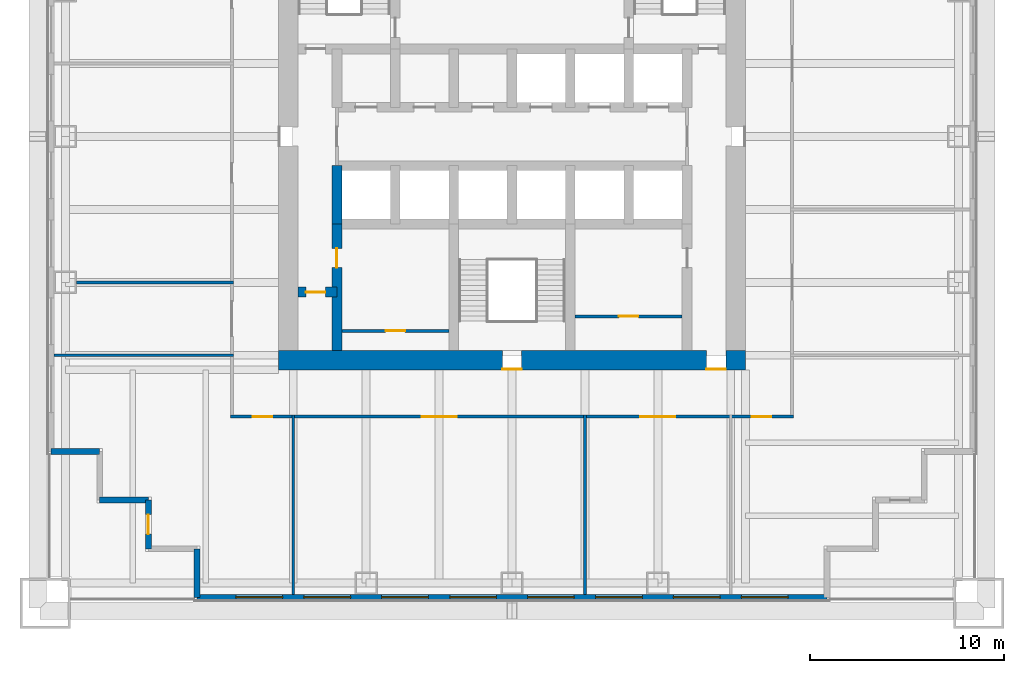
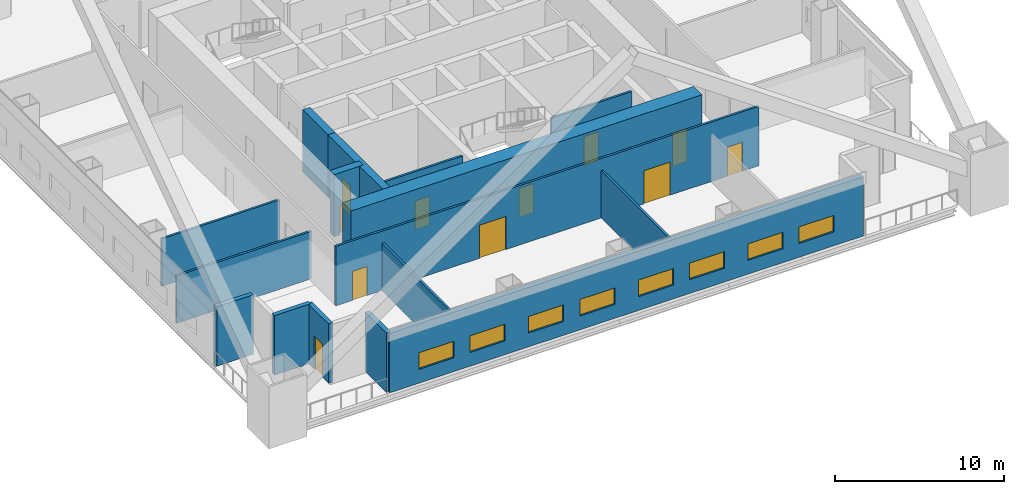
# One storey, part 2 of 6: 16 walls, 11 doors, 8 windows, 19 openings.
"""IFC4 building model written with IfcOpenShell, lengths in metres."""

from ifc_helpers import new_model, si_unit, direction, frame, frame_2d, origin, place, context, subcontext, project, spatial, rectangle, extrude, material, layer, layer_set, type_object, element, fill, save


model = new_model("IFC4")

# Units and contexts
model_context = context("Model", 3, precision=1e-05, world=origin(), true_north=direction((0.0, 1.0)))
body_context = subcontext(model_context, "Body", "Model", "MODEL_VIEW")
ifc_project = project(units=[si_unit("LENGTHUNIT", "METRE"), si_unit("AREAUNIT", "SQUARE_METRE"), si_unit("VOLUMEUNIT", "CUBIC_METRE"), si_unit("PLANEANGLEUNIT", "RADIAN"), si_unit("MASSUNIT", "GRAM", prefix="KILO")], contexts=[model_context])

# Site, building, storey
site_placement = place(None, origin())
site = spatial("IfcSite", under=ifc_project, at=site_placement, CompositionType="ELEMENT")
building_placement = place(site_placement, origin())
building = spatial("IfcBuilding", under=site, at=building_placement, Name="Tarangal Relay Tower", CompositionType="ELEMENT")
storey_placement = place(building_placement, frame((0.0, 0.0, 135.89990234375)))
storey = spatial("IfcBuildingStorey", under=building, at=storey_placement, Name="L27", CompositionType="ELEMENT", Elevation=135.89990234375)

# Wall, opening, door
ifc_material_1 = material(Name="Concrete fc' 60 MPa", Category="concrete")
ifc_layer_1 = layer(ifc_material_1, 0.5)
ifc_layer_set_1 = layer_set([ifc_layer_1], Name="Core inner wall 500")
wall_type_1 = type_object("IfcWallType", Name="Core inner wall 500", PredefinedType="SHEAR", material=ifc_layer_set_1)
wall_1_placement = place(storey_placement, frame((-11.0, -8.0, 0.0), z_axis=(0.0, 0.0, 1.0), x_axis=(1.0, 0.0, 0.0)))
wall_1 = element("IfcWall", 1, at=wall_1_placement, inside=storey, type_object=wall_type_1, Name="Core wall YM8 L27", PredefinedType="SHEAR", context=body_context, shape_type="SweptSolid", body=[
    extrude(rectangle(XDim=2.0, YDim=0.5, at=frame_2d((1.0, 0.0))), origin(), (0.0, 0.0, 1.0), 4.5),
])
opening_1_placement = place(wall_1_placement, frame((0.39990234375, 0.0, 0.0)))
opening_1 = element("IfcOpeningElement", 2, at=opening_1_placement, cuts=wall_1, Name="Opening D1", PredefinedType="OPENING", context=body_context, shape_type="SweptSolid", body=[
    extrude(rectangle(XDim=1.0, YDim=2.10009765625, at=frame_2d((0.5, 1.050048828125))), frame((0.0, 0.260009765625, 0.0), z_axis=(0.0, -1.0, 0.0), x_axis=(1.0, 0.0, 0.0)), (0.0, 0.0, 1.0), 0.52001953125),
])
ifc_material_2 = material(Name="Hardwood door", Category="wood")
door_type_1 = type_object("IfcDoorType", Name="WC door 1000 x 2100", OperationType="SINGLE_SWING_LEFT", PredefinedType="DOOR", material=ifc_material_2)
door_1_placement = place(opening_1_placement, origin())
door_1 = element("IfcDoor", 3, at=door_1_placement, inside=storey, type_object=door_type_1, Name="Accessible WC door L27", OperationType="SINGLE_SWING_LEFT", OverallHeight=2.10009765625, OverallWidth=1.0, PredefinedType="DOOR", context=body_context, shape_type="SweptSolid", body=[
    extrude(rectangle(XDim=1.0, YDim=2.10009765625, at=frame_2d((0.5, 1.050048828125))), frame((0.0, 0.02490234375, 0.0), z_axis=(0.0, -1.0, 0.0), x_axis=(1.0, 0.0, 0.0)), (0.0, 0.0, 1.0), 0.050048828125),
])
fill(opening_1, door_1)

# Wall
wall_2_placement = place(storey_placement, frame((-9.0, -4.5, 0.0), z_axis=(0.0, 0.0, 1.0), x_axis=(0.0, 1.0, 0.0)))
element("IfcWall", 4, at=wall_2_placement, inside=storey, type_object=wall_type_1, Name="Core wall XM9S L27", PredefinedType="SHEAR", context=body_context, shape_type="SweptSolid", body=[
    extrude(rectangle(XDim=3.0, YDim=0.5, at=frame_2d((1.5, 0.0))), origin(), (0.0, 0.0, 1.0), 4.5),
])

# Wall, opening, door
wall_3_placement = place(storey_placement, frame((-9.0, -11.0, 0.0), z_axis=(0.0, 0.0, 1.0), x_axis=(0.0, 1.0, 0.0)))
wall_3 = element("IfcWall", 5, at=wall_3_placement, inside=storey, type_object=wall_type_1, Name="Core wall XM9W L27", PredefinedType="SHEAR", context=body_context, shape_type="SweptSolid", body=[
    extrude(rectangle(XDim=6.5, YDim=0.5, at=frame_2d((3.25, 0.0))), origin(), (0.0, 0.0, 1.0), 4.5),
])
opening_2_placement = place(wall_3_placement, frame((4.25, 0.0, 0.0)))
opening_2 = element("IfcOpeningElement", 6, at=opening_2_placement, cuts=wall_3, Name="Opening D1", PredefinedType="OPENING", context=body_context, shape_type="SweptSolid", body=[
    extrude(rectangle(XDim=1.0, YDim=2.10009765625, at=frame_2d((0.5, 1.050048828125))), frame((0.0, 0.260009765625, 0.0), z_axis=(0.0, -1.0, 0.0), x_axis=(1.0, 0.0, 0.0)), (0.0, 0.0, 1.0), 0.52001953125),
])
door_2_placement = place(opening_2_placement, origin())
door_2 = element("IfcDoor", 7, at=door_2_placement, inside=storey, type_object=door_type_1, Name="Male WC door L27", OperationType="SINGLE_SWING_LEFT", OverallHeight=2.10009765625, OverallWidth=1.0, PredefinedType="DOOR", context=body_context, shape_type="SweptSolid", body=[
    extrude(rectangle(XDim=1.0, YDim=2.10009765625, at=frame_2d((0.5, 1.050048828125))), frame((0.0, 0.02490234375, 0.0), z_axis=(0.0, -1.0, 0.0), x_axis=(1.0, 0.0, 0.0)), (0.0, 0.0, 1.0), 0.050048828125),
])
fill(opening_2, door_2)

# Wall, openings, doors
ifc_layer_2 = layer(ifc_material_1, 1.0)
ifc_layer_set_2 = layer_set([ifc_layer_2], Name="Core wall 1000")
wall_type_2 = type_object("IfcWallType", Name="Core wall 1000", PredefinedType="SHEAR", material=ifc_layer_set_2)
wall_4_placement = place(storey_placement, frame((12.0, -11.5, 0.0), z_axis=(0.0, 0.0, 1.0), x_axis=(-1.0, 0.0, 0.0)))
wall_4 = element("IfcWall", 8, at=wall_4_placement, inside=storey, type_object=wall_type_2, Name="Core wall S L27", PredefinedType="SHEAR", context=body_context, shape_type="SweptSolid", body=[
    extrude(rectangle(XDim=24.0, YDim=1.0, at=frame_2d((12.0, 0.0))), origin(), (0.0, 0.0, 1.0), 4.5),
])
opening_3_placement = place(wall_4_placement, frame((11.5, 0.0, 0.0)))
opening_3 = element("IfcOpeningElement", 9, at=opening_3_placement, cuts=wall_4, Name="Opening FD1", PredefinedType="OPENING", context=body_context, shape_type="SweptSolid", body=[
    extrude(rectangle(XDim=1.0, YDim=2.10009765625, at=frame_2d((0.5, 1.050048828125))), frame((0.0, 0.510009765625, 0.0), z_axis=(0.0, -1.0, 0.0), x_axis=(1.0, 0.0, 0.0)), (0.0, 0.0, 1.0), 1.02001953125),
])
opening_4_placement = place(wall_4_placement, frame((1.0, 0.0, 0.0)))
opening_4 = element("IfcOpeningElement", 10, at=opening_4_placement, cuts=wall_4, Name="Opening FD3", PredefinedType="OPENING", context=body_context, shape_type="SweptSolid", body=[
    extrude(rectangle(XDim=1.0, YDim=2.39990234375, at=frame_2d((0.5, 1.199951171875))), frame((0.0, 0.510009765625, 0.0), z_axis=(0.0, -1.0, 0.0), x_axis=(1.0, 0.0, 0.0)), (0.0, 0.0, 1.0), 1.02001953125),
])
ifc_material_3 = material(Name="Steel door with hardwood frame", Category="steel")
door_type_2 = type_object("IfcDoorType", Name="Fire door 1000 x 2100", OperationType="SINGLE_SWING_LEFT", PredefinedType="DOOR", material=ifc_material_3)
door_3_placement = place(opening_3_placement, origin())
door_3 = element("IfcDoor", 11, at=door_3_placement, inside=storey, type_object=door_type_2, Name="Stair ST-C door L27", OperationType="SINGLE_SWING_LEFT", OverallHeight=2.10009765625, OverallWidth=1.0, PredefinedType="DOOR", context=body_context, shape_type="SweptSolid", body=[
    extrude(rectangle(XDim=1.0, YDim=2.10009765625, at=frame_2d((0.5, 1.050048828125))), frame((0.0, 0.48486328125, 0.0), z_axis=(0.0, -1.0, 0.0), x_axis=(1.0, 0.0, 0.0)), (0.0, 0.0, 1.0), 0.050048828125),
])
fill(opening_3, door_3)
door_type_3 = type_object("IfcDoorType", Name="Fire door 1000 x 2400 core entry", OperationType="SINGLE_SWING_RIGHT", PredefinedType="DOOR", material=ifc_material_3)
door_4_placement = place(opening_4_placement, origin())
door_4 = element("IfcDoor", 12, at=door_4_placement, inside=storey, type_object=door_type_3, Name="Core entry door south east L27", OperationType="SINGLE_SWING_RIGHT", OverallHeight=2.39990234375, OverallWidth=1.0, PredefinedType="DOOR", context=body_context, shape_type="SweptSolid", body=[
    extrude(rectangle(XDim=1.0, YDim=2.39990234375, at=frame_2d((0.5, 1.199951171875))), frame((0.0, 0.48486328125, 0.0), z_axis=(0.0, -1.0, 0.0), x_axis=(1.0, 0.0, 0.0)), (0.0, 0.0, 1.0), 0.050048828125),
])
fill(opening_4, door_4)

# Wall, openings, windows
ifc_material_4 = material(Name="Insulated precast concrete fc' 40 MPa", Category="concrete")
ifc_layer_3 = layer(ifc_material_4, 0.300048828125)
ifc_layer_set_3 = layer_set([ifc_layer_3], Name="Insulated precast concrete fc' 40 MPa")
wall_type_3 = type_object("IfcWallType", Name="Facade wall precast 300", PredefinedType="SOLIDWALL", material=ifc_layer_set_3)
wall_5_placement = place(storey_placement, frame((16.199951171875, -23.699951171875, 0.0), z_axis=(0.0, 0.0, 1.0), x_axis=(-1.0, 0.0, 0.0)))
wall_5 = element("IfcWall", 13, at=wall_5_placement, inside=storey, type_object=wall_type_3, Name="Facade wall S facade L27", PredefinedType="SOLIDWALL", context=body_context, shape_type="SweptSolid", body=[
    extrude(rectangle(XDim=32.39990234375, YDim=0.300048828125, at=frame_2d((16.199951171875, 0.0))), origin(), (0.0, 0.0, 1.0), 4.300048828125),
])
opening_5_placement = place(wall_5_placement, frame((2.0, 0.0, 1.0)))
opening_5 = element("IfcOpeningElement", 14, at=opening_5_placement, cuts=wall_5, Name="Opening WN1", PredefinedType="OPENING", context=body_context, shape_type="SweptSolid", body=[
    extrude(rectangle(XDim=2.39990234375, YDim=1.199951171875, at=frame_2d((1.199951171875, 0.60009765625))), frame((0.0, 0.159912109375, 0.0), z_axis=(0.0, -1.0, 0.0), x_axis=(1.0, 0.0, 0.0)), (0.0, 0.0, 1.0), 0.320068359375),
])
opening_6_placement = place(wall_5_placement, frame((5.5, 0.0, 1.0)))
opening_6 = element("IfcOpeningElement", 15, at=opening_6_placement, cuts=wall_5, Name="Opening WN1", PredefinedType="OPENING", context=body_context, shape_type="SweptSolid", body=[
    extrude(rectangle(XDim=2.39990234375, YDim=1.199951171875, at=frame_2d((1.199951171875, 0.60009765625))), frame((0.0, 0.159912109375, 0.0), z_axis=(0.0, -1.0, 0.0), x_axis=(1.0, 0.0, 0.0)), (0.0, 0.0, 1.0), 0.320068359375),
])
opening_7_placement = place(wall_5_placement, frame((9.5, 0.0, 1.0)))
opening_7 = element("IfcOpeningElement", 16, at=opening_7_placement, cuts=wall_5, Name="Opening WN1", PredefinedType="OPENING", context=body_context, shape_type="SweptSolid", body=[
    extrude(rectangle(XDim=2.39990234375, YDim=1.199951171875, at=frame_2d((1.199951171875, 0.60009765625))), frame((0.0, 0.159912109375, 0.0), z_axis=(0.0, -1.0, 0.0), x_axis=(1.0, 0.0, 0.0)), (0.0, 0.0, 1.0), 0.320068359375),
])
opening_8_placement = place(wall_5_placement, frame((13.0, 0.0, 1.0)))
opening_8 = element("IfcOpeningElement", 17, at=opening_8_placement, cuts=wall_5, Name="Opening WN1", PredefinedType="OPENING", context=body_context, shape_type="SweptSolid", body=[
    extrude(rectangle(XDim=2.39990234375, YDim=1.199951171875, at=frame_2d((1.199951171875, 0.60009765625))), frame((0.0, 0.159912109375, 0.0), z_axis=(0.0, -1.0, 0.0), x_axis=(1.0, 0.0, 0.0)), (0.0, 0.0, 1.0), 0.320068359375),
])
opening_9_placement = place(wall_5_placement, frame((17.0, 0.0, 1.0)))
opening_9 = element("IfcOpeningElement", 18, at=opening_9_placement, cuts=wall_5, Name="Opening WN1", PredefinedType="OPENING", context=body_context, shape_type="SweptSolid", body=[
    extrude(rectangle(XDim=2.39990234375, YDim=1.199951171875, at=frame_2d((1.199951171875, 0.60009765625))), frame((0.0, 0.159912109375, 0.0), z_axis=(0.0, -1.0, 0.0), x_axis=(1.0, 0.0, 0.0)), (0.0, 0.0, 1.0), 0.320068359375),
])
opening_10_placement = place(wall_5_placement, frame((20.5, 0.0, 1.0)))
opening_10 = element("IfcOpeningElement", 19, at=opening_10_placement, cuts=wall_5, Name="Opening WN1", PredefinedType="OPENING", context=body_context, shape_type="SweptSolid", body=[
    extrude(rectangle(XDim=2.39990234375, YDim=1.199951171875, at=frame_2d((1.199951171875, 0.60009765625))), frame((0.0, 0.159912109375, 0.0), z_axis=(0.0, -1.0, 0.0), x_axis=(1.0, 0.0, 0.0)), (0.0, 0.0, 1.0), 0.320068359375),
])
opening_11_placement = place(wall_5_placement, frame((24.5, 0.0, 1.0)))
opening_11 = element("IfcOpeningElement", 20, at=opening_11_placement, cuts=wall_5, Name="Opening WN1", PredefinedType="OPENING", context=body_context, shape_type="SweptSolid", body=[
    extrude(rectangle(XDim=2.39990234375, YDim=1.199951171875, at=frame_2d((1.199951171875, 0.60009765625))), frame((0.0, 0.159912109375, 0.0), z_axis=(0.0, -1.0, 0.0), x_axis=(1.0, 0.0, 0.0)), (0.0, 0.0, 1.0), 0.320068359375),
])
opening_12_placement = place(wall_5_placement, frame((28.0, 0.0, 1.0)))
opening_12 = element("IfcOpeningElement", 21, at=opening_12_placement, cuts=wall_5, Name="Opening WN1", PredefinedType="OPENING", context=body_context, shape_type="SweptSolid", body=[
    extrude(rectangle(XDim=2.39990234375, YDim=1.199951171875, at=frame_2d((1.199951171875, 0.60009765625))), frame((0.0, 0.159912109375, 0.0), z_axis=(0.0, -1.0, 0.0), x_axis=(1.0, 0.0, 0.0)), (0.0, 0.0, 1.0), 0.320068359375),
])
ifc_material_5 = material(Name="Dark tinted double glazing in black aluminium frame", Category="aluminium")
window_type = type_object("IfcWindowType", Name="Ribbon window 2400 x 1200", PartitioningType="SINGLE_PANEL", PredefinedType="WINDOW", material=ifc_material_5)
window_1_placement = place(opening_5_placement, origin())
window_1 = element("IfcWindow", 22, at=window_1_placement, inside=storey, type_object=window_type, Name="Ribbon window WN1 S facade L27", OverallHeight=1.199951171875, OverallWidth=2.39990234375, PartitioningType="SINGLE_PANEL", PredefinedType="WINDOW", context=body_context, shape_type="SweptSolid", body=[
    extrude(rectangle(XDim=2.39990234375, YDim=1.199951171875, at=frame_2d((1.199951171875, 0.60009765625))), frame((0.0, 0.030029296875, 0.0), z_axis=(0.0, -1.0, 0.0), x_axis=(1.0, 0.0, 0.0)), (0.0, 0.0, 1.0), 0.06005859375),
])
fill(opening_5, window_1)
window_2_placement = place(opening_6_placement, origin())
window_2 = element("IfcWindow", 23, at=window_2_placement, inside=storey, type_object=window_type, Name="Ribbon window WN1 S facade L27", OverallHeight=1.199951171875, OverallWidth=2.39990234375, PartitioningType="SINGLE_PANEL", PredefinedType="WINDOW", context=body_context, shape_type="SweptSolid", body=[
    extrude(rectangle(XDim=2.39990234375, YDim=1.199951171875, at=frame_2d((1.199951171875, 0.60009765625))), frame((0.0, 0.030029296875, 0.0), z_axis=(0.0, -1.0, 0.0), x_axis=(1.0, 0.0, 0.0)), (0.0, 0.0, 1.0), 0.06005859375),
])
fill(opening_6, window_2)
window_3_placement = place(opening_7_placement, origin())
window_3 = element("IfcWindow", 24, at=window_3_placement, inside=storey, type_object=window_type, Name="Ribbon window WN1 S facade L27", OverallHeight=1.199951171875, OverallWidth=2.39990234375, PartitioningType="SINGLE_PANEL", PredefinedType="WINDOW", context=body_context, shape_type="SweptSolid", body=[
    extrude(rectangle(XDim=2.39990234375, YDim=1.199951171875, at=frame_2d((1.199951171875, 0.60009765625))), frame((0.0, 0.030029296875, 0.0), z_axis=(0.0, -1.0, 0.0), x_axis=(1.0, 0.0, 0.0)), (0.0, 0.0, 1.0), 0.06005859375),
])
fill(opening_7, window_3)
window_4_placement = place(opening_8_placement, origin())
window_4 = element("IfcWindow", 25, at=window_4_placement, inside=storey, type_object=window_type, Name="Ribbon window WN1 S facade L27", OverallHeight=1.199951171875, OverallWidth=2.39990234375, PartitioningType="SINGLE_PANEL", PredefinedType="WINDOW", context=body_context, shape_type="SweptSolid", body=[
    extrude(rectangle(XDim=2.39990234375, YDim=1.199951171875, at=frame_2d((1.199951171875, 0.60009765625))), frame((0.0, 0.030029296875, 0.0), z_axis=(0.0, -1.0, 0.0), x_axis=(1.0, 0.0, 0.0)), (0.0, 0.0, 1.0), 0.06005859375),
])
fill(opening_8, window_4)
window_5_placement = place(opening_9_placement, origin())
window_5 = element("IfcWindow", 26, at=window_5_placement, inside=storey, type_object=window_type, Name="Ribbon window WN1 S facade L27", OverallHeight=1.199951171875, OverallWidth=2.39990234375, PartitioningType="SINGLE_PANEL", PredefinedType="WINDOW", context=body_context, shape_type="SweptSolid", body=[
    extrude(rectangle(XDim=2.39990234375, YDim=1.199951171875, at=frame_2d((1.199951171875, 0.60009765625))), frame((0.0, 0.030029296875, 0.0), z_axis=(0.0, -1.0, 0.0), x_axis=(1.0, 0.0, 0.0)), (0.0, 0.0, 1.0), 0.06005859375),
])
fill(opening_9, window_5)
window_6_placement = place(opening_10_placement, origin())
window_6 = element("IfcWindow", 27, at=window_6_placement, inside=storey, type_object=window_type, Name="Ribbon window WN1 S facade L27", OverallHeight=1.199951171875, OverallWidth=2.39990234375, PartitioningType="SINGLE_PANEL", PredefinedType="WINDOW", context=body_context, shape_type="SweptSolid", body=[
    extrude(rectangle(XDim=2.39990234375, YDim=1.199951171875, at=frame_2d((1.199951171875, 0.60009765625))), frame((0.0, 0.030029296875, 0.0), z_axis=(0.0, -1.0, 0.0), x_axis=(1.0, 0.0, 0.0)), (0.0, 0.0, 1.0), 0.06005859375),
])
fill(opening_10, window_6)
window_7_placement = place(opening_11_placement, origin())
window_7 = element("IfcWindow", 28, at=window_7_placement, inside=storey, type_object=window_type, Name="Ribbon window WN1 S facade L27", OverallHeight=1.199951171875, OverallWidth=2.39990234375, PartitioningType="SINGLE_PANEL", PredefinedType="WINDOW", context=body_context, shape_type="SweptSolid", body=[
    extrude(rectangle(XDim=2.39990234375, YDim=1.199951171875, at=frame_2d((1.199951171875, 0.60009765625))), frame((0.0, 0.030029296875, 0.0), z_axis=(0.0, -1.0, 0.0), x_axis=(1.0, 0.0, 0.0)), (0.0, 0.0, 1.0), 0.06005859375),
])
fill(opening_11, window_7)
window_8_placement = place(opening_12_placement, origin())
window_8 = element("IfcWindow", 29, at=window_8_placement, inside=storey, type_object=window_type, Name="Ribbon window WN1 S facade L27", OverallHeight=1.199951171875, OverallWidth=2.39990234375, PartitioningType="SINGLE_PANEL", PredefinedType="WINDOW", context=body_context, shape_type="SweptSolid", body=[
    extrude(rectangle(XDim=2.39990234375, YDim=1.199951171875, at=frame_2d((1.199951171875, 0.60009765625))), frame((0.0, 0.030029296875, 0.0), z_axis=(0.0, -1.0, 0.0), x_axis=(1.0, 0.0, 0.0)), (0.0, 0.0, 1.0), 0.06005859375),
])
fill(opening_12, window_8)

# Wall
wall_6_placement = place(storey_placement, frame((-16.199951171875, -23.699951171875, 0.0), z_axis=(0.0, 0.0, 1.0), x_axis=(0.0, 1.0, 0.0)))
element("IfcWall", 30, at=wall_6_placement, inside=storey, type_object=wall_type_3, Name="Facade wall S facade L27", PredefinedType="SOLIDWALL", context=body_context, shape_type="SweptSolid", body=[
    extrude(rectangle(XDim=2.5, YDim=0.300048828125, at=frame_2d((1.25, 0.0))), origin(), (0.0, 0.0, 1.0), 4.300048828125),
])

# Wall, opening, door
wall_7_placement = place(storey_placement, frame((-18.699951171875, -21.199951171875, 0.0), z_axis=(0.0, 0.0, 1.0), x_axis=(0.0, 1.0, 0.0)))
wall_7 = element("IfcWall", 31, at=wall_7_placement, inside=storey, type_object=wall_type_3, Name="Facade wall S facade L27", PredefinedType="SOLIDWALL", context=body_context, shape_type="SweptSolid", body=[
    extrude(rectangle(XDim=2.5, YDim=0.300048828125, at=frame_2d((1.25, 0.0))), origin(), (0.0, 0.0, 1.0), 4.300048828125),
])
opening_13_placement = place(wall_7_placement, frame((0.75, 0.0, 0.0)))
opening_13 = element("IfcOpeningElement", 32, at=opening_13_placement, cuts=wall_7, Name="Opening TD1", PredefinedType="OPENING", context=body_context, shape_type="SweptSolid", body=[
    extrude(rectangle(XDim=1.0, YDim=2.39990234375, at=frame_2d((0.5, 1.199951171875))), frame((0.0, 0.159912109375, 0.0), z_axis=(0.0, -1.0, 0.0), x_axis=(1.0, 0.0, 0.0)), (0.0, 0.0, 1.0), 0.320068359375),
])
ifc_material_6 = material(Name="Aluminium glazed door", Category="aluminium")
door_type_4 = type_object("IfcDoorType", Name="Terrace door 1000 x 2400", OperationType="SINGLE_SWING_RIGHT", PredefinedType="DOOR", material=ifc_material_6)
door_5_placement = place(opening_13_placement, origin())
door_5 = element("IfcDoor", 33, at=door_5_placement, inside=storey, type_object=door_type_4, Name="Terrace door TD1 SW L27", OperationType="SINGLE_SWING_RIGHT", OverallHeight=2.39990234375, OverallWidth=1.0, PredefinedType="DOOR", context=body_context, shape_type="SweptSolid", body=[
    extrude(rectangle(XDim=1.0, YDim=2.39990234375, at=frame_2d((0.5, 1.199951171875))), frame((0.0, 0.02490234375, 0.0), z_axis=(0.0, -1.0, 0.0), x_axis=(1.0, 0.0, 0.0)), (0.0, 0.0, 1.0), 0.050048828125),
])
fill(opening_13, door_5)

# Walls
for number, where, z_axis, x_axis, name in (
    (34, (-18.699951171875, -18.699951171875, 0.0), (0.0, 0.0, 1.0), (-1.0, 0.0, 0.0), "Facade wall S facade L27"),
    (35, (-21.199951171875, -16.199951171875, 0.0), (0.0, 0.0, 1.0), (-1.0, 0.0, 0.0), "Facade wall S facade L27"),
):
    element("IfcWall", number, at=place(storey_placement, frame(where, z_axis=z_axis, x_axis=x_axis)), inside=storey, type_object=wall_type_3, Name=name, PredefinedType="SOLIDWALL", context=body_context, shape_type="SweptSolid", body=[
        extrude(rectangle(XDim=2.5, YDim=0.300048828125, at=frame_2d((1.25, 0.0))), origin(), (0.0, 0.0, 1.0), 4.300048828125),
    ])

# Wall, openings, doors
ifc_material_7 = material(Name="Gypsum board on steel studs", Category="steel")
ifc_layer_4 = layer(ifc_material_7, 0.14990234375)
ifc_layer_set_4 = layer_set([ifc_layer_4], Name="Partition 150")
wall_type_4 = type_object("IfcWallType", Name="Partition 150", PredefinedType="PARTITIONING", material=ifc_layer_set_4)
wall_8_placement = place(storey_placement, frame((-14.47509765625, -14.39990234375, 0.0), z_axis=(0.0, 0.0, 1.0), x_axis=(1.0, 0.0, 0.0)))
wall_8 = element("IfcWall", 36, at=wall_8_placement, inside=storey, type_object=wall_type_4, Name="Partition PT1 L27", PredefinedType="PARTITIONING", context=body_context, shape_type="SweptSolid", body=[
    extrude(rectangle(XDim=28.9501953125, YDim=0.14990234375, at=frame_2d((14.47509765625, 0.0))), origin(), (0.0, 0.0, 1.0), 4.300048828125),
])
opening_14_placement = place(wall_8_placement, frame((21.074951171875, 0.0, 0.0)))
opening_14 = element("IfcOpeningElement", 37, at=opening_14_placement, cuts=wall_8, Name="Opening DD1", PredefinedType="OPENING", context=body_context, shape_type="SweptSolid", body=[
    extrude(rectangle(XDim=1.800048828125, YDim=2.39990234375, at=frame_2d((0.89990234375, 1.199951171875))), frame((0.0, 0.0849609375, 0.0), z_axis=(0.0, -1.0, 0.0), x_axis=(1.0, 0.0, 0.0)), (0.0, 0.0, 1.0), 0.169921875),
])
opening_15_placement = place(wall_8_placement, frame((9.824951171875, 0.0, 0.0)))
opening_15 = element("IfcOpeningElement", 38, at=opening_15_placement, cuts=wall_8, Name="Opening DD1", PredefinedType="OPENING", context=body_context, shape_type="SweptSolid", body=[
    extrude(rectangle(XDim=1.800048828125, YDim=2.39990234375, at=frame_2d((0.89990234375, 1.199951171875))), frame((0.0, 0.0849609375, 0.0), z_axis=(0.0, -1.0, 0.0), x_axis=(1.0, 0.0, 0.0)), (0.0, 0.0, 1.0), 0.169921875),
])
opening_16_placement = place(wall_8_placement, frame((26.800048828125, 0.0, 0.0)))
opening_16 = element("IfcOpeningElement", 39, at=opening_16_placement, cuts=wall_8, Name="Opening D2", PredefinedType="OPENING", context=body_context, shape_type="SweptSolid", body=[
    extrude(rectangle(XDim=1.0, YDim=2.10009765625, at=frame_2d((0.5, 1.050048828125))), frame((0.0, 0.0849609375, 0.0), z_axis=(0.0, -1.0, 0.0), x_axis=(1.0, 0.0, 0.0)), (0.0, 0.0, 1.0), 0.169921875),
])
opening_17_placement = place(wall_8_placement, frame((1.14990234375, 0.0, 0.0)))
opening_17 = element("IfcOpeningElement", 40, at=opening_17_placement, cuts=wall_8, Name="Opening D2", PredefinedType="OPENING", context=body_context, shape_type="SweptSolid", body=[
    extrude(rectangle(XDim=1.0, YDim=2.10009765625, at=frame_2d((0.5, 1.050048828125))), frame((0.0, 0.0849609375, 0.0), z_axis=(0.0, -1.0, 0.0), x_axis=(1.0, 0.0, 0.0)), (0.0, 0.0, 1.0), 0.169921875),
])
door_type_5 = type_object("IfcDoorType", Name="Door 1000 x 2100", OperationType="SINGLE_SWING_LEFT", PredefinedType="DOOR", material=ifc_material_2)
door_6_placement = place(opening_16_placement, origin())
door_6 = element("IfcDoor", 41, at=door_6_placement, inside=storey, type_object=door_type_5, Name="Door D2 to engineering office L27-11", OperationType="SINGLE_SWING_LEFT", OverallHeight=2.10009765625, OverallWidth=1.0, PredefinedType="DOOR", context=body_context, shape_type="SweptSolid", body=[
    extrude(rectangle(XDim=1.0, YDim=2.10009765625, at=frame_2d((0.5, 1.050048828125))), frame((0.0, 0.02490234375, 0.0), z_axis=(0.0, -1.0, 0.0), x_axis=(1.0, 0.0, 0.0)), (0.0, 0.0, 1.0), 0.050048828125),
])
fill(opening_16, door_6)
door_7_placement = place(opening_17_placement, origin())
door_7 = element("IfcDoor", 42, at=door_7_placement, inside=storey, type_object=door_type_5, Name="Door D2 to carrier staff office L27-12", OperationType="SINGLE_SWING_LEFT", OverallHeight=2.10009765625, OverallWidth=1.0, PredefinedType="DOOR", context=body_context, shape_type="SweptSolid", body=[
    extrude(rectangle(XDim=1.0, YDim=2.10009765625, at=frame_2d((0.5, 1.050048828125))), frame((0.0, 0.02490234375, 0.0), z_axis=(0.0, -1.0, 0.0), x_axis=(1.0, 0.0, 0.0)), (0.0, 0.0, 1.0), 0.050048828125),
])
fill(opening_17, door_7)
door_type_6 = type_object("IfcDoorType", Name="Equipment double door 1800 x 2400", OperationType="DOUBLE_DOOR_SINGLE_SWING", PredefinedType="DOOR", material=ifc_material_3)
door_8_placement = place(opening_14_placement, origin())
door_8 = element("IfcDoor", 43, at=door_8_placement, inside=storey, type_object=door_type_6, Name="Door DD1 to rectifier and battery room L27-05", OperationType="DOUBLE_DOOR_SINGLE_SWING", OverallHeight=2.39990234375, OverallWidth=1.800048828125, PredefinedType="DOOR", context=body_context, shape_type="SweptSolid", body=[
    extrude(rectangle(XDim=1.800048828125, YDim=2.39990234375, at=frame_2d((0.89990234375, 1.199951171875))), frame((0.0, 0.02490234375, 0.0), z_axis=(0.0, -1.0, 0.0), x_axis=(1.0, 0.0, 0.0)), (0.0, 0.0, 1.0), 0.050048828125),
])
fill(opening_14, door_8)
door_9_placement = place(opening_15_placement, origin())
door_9 = element("IfcDoor", 44, at=door_9_placement, inside=storey, type_object=door_type_6, Name="Door DD1 to telecom equipment room L27-06", OperationType="DOUBLE_DOOR_SINGLE_SWING", OverallHeight=2.39990234375, OverallWidth=1.800048828125, PredefinedType="DOOR", context=body_context, shape_type="SweptSolid", body=[
    extrude(rectangle(XDim=1.800048828125, YDim=2.39990234375, at=frame_2d((0.89990234375, 1.199951171875))), frame((0.0, 0.02490234375, 0.0), z_axis=(0.0, -1.0, 0.0), x_axis=(1.0, 0.0, 0.0)), (0.0, 0.0, 1.0), 0.050048828125),
])
fill(opening_15, door_9)

# Walls
wall_9_placement = place(storey_placement, frame((-23.550048828125, -11.25, 0.0), z_axis=(0.0, 0.0, 1.0), x_axis=(1.0, 0.0, 0.0)))
element("IfcWall", 45, at=wall_9_placement, inside=storey, type_object=wall_type_4, Name="Partition PT1 L27", PredefinedType="PARTITIONING", context=body_context, shape_type="SweptSolid", body=[
    extrude(rectangle(XDim=9.22509765625, YDim=0.14990234375, at=frame_2d((4.612548828125, 0.0))), origin(), (0.0, 0.0, 1.0), 3.431396484375),
])
wall_10_placement = place(storey_placement, frame((-22.389892578125, -7.5, 0.0), z_axis=(0.0, 0.0, 1.0), x_axis=(1.0, 0.0, 0.0)))
element("IfcWall", 46, at=wall_10_placement, inside=storey, type_object=wall_type_4, Name="Partition PT1 L27", PredefinedType="PARTITIONING", context=body_context, shape_type="SweptSolid", body=[
    extrude(rectangle(XDim=8.06494140625, YDim=0.14990234375, at=frame_2d((4.032470703125, 0.0))), origin(), (0.0, 0.0, 1.0), 3.431396484375),
])
for number, where, z_axis, x_axis, name in (
    (47, (-11.25, -23.550048828125, 0.0), (0.0, 0.0, 1.0), (0.0, 1.0, 0.0), "Partition PT1 L27"),
    (48, (3.75, -23.550048828125, 0.0), (0.0, 0.0, 1.0), (0.0, 1.0, 0.0), "Partition PT1 L27"),
):
    element("IfcWall", number, at=place(storey_placement, frame(where, z_axis=z_axis, x_axis=x_axis)), inside=storey, type_object=wall_type_4, Name=name, PredefinedType="PARTITIONING", context=body_context, shape_type="SweptSolid", body=[
        extrude(rectangle(XDim=9.22509765625, YDim=0.14990234375, at=frame_2d((4.612548828125, 0.0))), origin(), (0.0, 0.0, 1.0), 3.431396484375),
    ])

# Wall, opening, door
wall_11_placement = place(storey_placement, frame((-8.75, -10.0, 0.0), z_axis=(0.0, 0.0, 1.0), x_axis=(1.0, 0.0, 0.0)))
wall_11 = element("IfcWall", 49, at=wall_11_placement, inside=storey, type_object=wall_type_4, Name="Partition PT1 L27", PredefinedType="PARTITIONING", context=body_context, shape_type="SweptSolid", body=[
    extrude(rectangle(XDim=5.5, YDim=0.14990234375, at=frame_2d((2.75, 0.0))), origin(), (0.0, 0.0, 1.0), 4.25),
])
opening_18_placement = place(wall_11_placement, frame((2.25, 0.0, 0.0)))
opening_18 = element("IfcOpeningElement", 50, at=opening_18_placement, cuts=wall_11, Name="Opening D1", PredefinedType="OPENING", context=body_context, shape_type="SweptSolid", body=[
    extrude(rectangle(XDim=1.0, YDim=2.10009765625, at=frame_2d((0.5, 1.050048828125))), frame((0.0, 0.0849609375, 0.0), z_axis=(0.0, -1.0, 0.0), x_axis=(1.0, 0.0, 0.0)), (0.0, 0.0, 1.0), 0.169921875),
])
door_10_placement = place(opening_18_placement, origin())
door_10 = element("IfcDoor", 51, at=door_10_placement, inside=storey, type_object=door_type_1, Name="Door D1 to male shower room L27-C7B", OperationType="SINGLE_SWING_LEFT", OverallHeight=2.10009765625, OverallWidth=1.0, PredefinedType="DOOR", context=body_context, shape_type="SweptSolid", body=[
    extrude(rectangle(XDim=1.0, YDim=2.10009765625, at=frame_2d((0.5, 1.050048828125))), frame((0.0, 0.02490234375, 0.0), z_axis=(0.0, -1.0, 0.0), x_axis=(1.0, 0.0, 0.0)), (0.0, 0.0, 1.0), 0.050048828125),
])
fill(opening_18, door_10)

wall_12_placement = place(storey_placement, frame((3.25, -9.25, 0.0), z_axis=(0.0, 0.0, 1.0), x_axis=(1.0, 0.0, 0.0)))
wall_12 = element("IfcWall", 52, at=wall_12_placement, inside=storey, type_object=wall_type_4, Name="Partition PT1 L27", PredefinedType="PARTITIONING", context=body_context, shape_type="SweptSolid", body=[
    extrude(rectangle(XDim=5.5, YDim=0.14990234375, at=frame_2d((2.75, 0.0))), origin(), (0.0, 0.0, 1.0), 4.25),
])
opening_19_placement = place(wall_12_placement, frame((2.25, 0.0, 0.0)))
opening_19 = element("IfcOpeningElement", 53, at=opening_19_placement, cuts=wall_12, Name="Opening D1", PredefinedType="OPENING", context=body_context, shape_type="SweptSolid", body=[
    extrude(rectangle(XDim=1.0, YDim=2.10009765625, at=frame_2d((0.5, 1.050048828125))), frame((0.0, 0.0849609375, 0.0), z_axis=(0.0, -1.0, 0.0), x_axis=(1.0, 0.0, 0.0)), (0.0, 0.0, 1.0), 0.169921875),
])
door_11_placement = place(opening_19_placement, origin())
door_11 = element("IfcDoor", 54, at=door_11_placement, inside=storey, type_object=door_type_1, Name="Door D1 to female shower and changing room L27-C10B", OperationType="SINGLE_SWING_LEFT", OverallHeight=2.10009765625, OverallWidth=1.0, PredefinedType="DOOR", context=body_context, shape_type="SweptSolid", body=[
    extrude(rectangle(XDim=1.0, YDim=2.10009765625, at=frame_2d((0.5, 1.050048828125))), frame((0.0, 0.02490234375, 0.0), z_axis=(0.0, -1.0, 0.0), x_axis=(1.0, 0.0, 0.0)), (0.0, 0.0, 1.0), 0.050048828125),
])
fill(opening_19, door_11)

save(model, "model.ifc")
